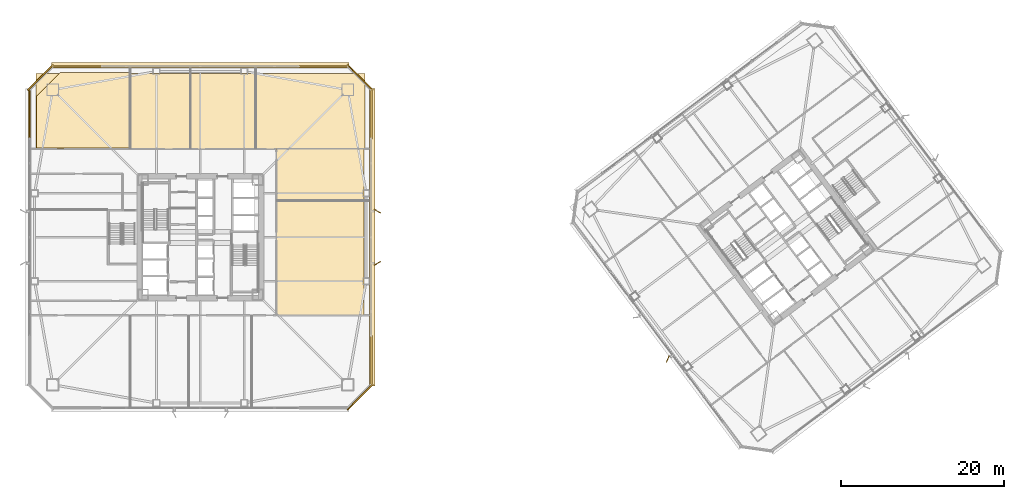
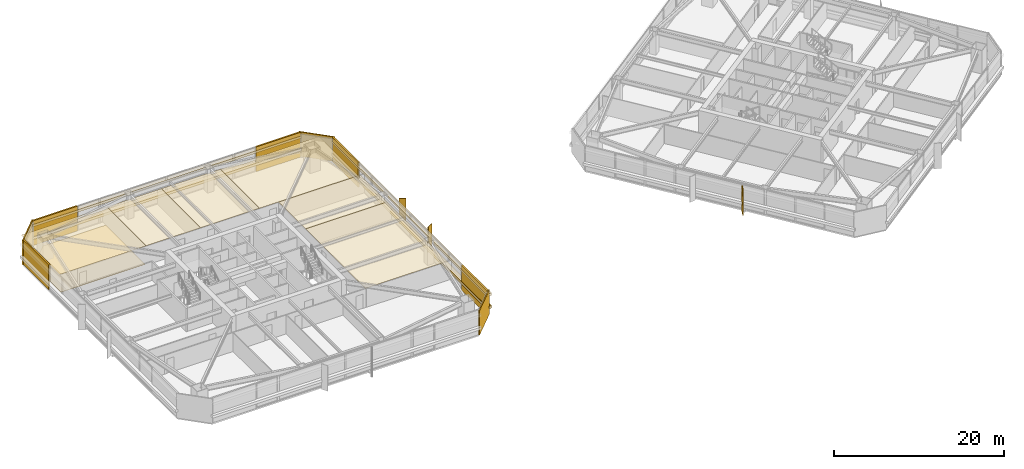
# One storey, part 44 of 49: 19 coverings, 3 shading devices.
"""IFC4 building model written with IfcOpenShell, lengths in metres."""

from ifc_helpers import new_model, si_unit, direction, frame, origin, origin_2d, place, context, subcontext, project, spatial, polyline, rectangle, outline, extrude, material, layer, layer_set, type_object, element, save


model = new_model("IFC4")

# Units and contexts
model_context = context("Model", 3, precision=1e-05, world=origin(), true_north=direction((0.0, 1.0)))
body_context = subcontext(model_context, "Body", "Model", "MODEL_VIEW")
ifc_project = project(units=[si_unit("LENGTHUNIT", "METRE"), si_unit("AREAUNIT", "SQUARE_METRE"), si_unit("VOLUMEUNIT", "CUBIC_METRE"), si_unit("PLANEANGLEUNIT", "RADIAN"), si_unit("MASSUNIT", "GRAM", prefix="KILO")], contexts=[model_context])

# Site, building, storey
site_placement = place(None, origin())
site = spatial("IfcSite", under=ifc_project, at=site_placement, CompositionType="ELEMENT")
building_placement = place(site_placement, origin())
building = spatial("IfcBuilding", under=site, at=building_placement, Name="Tashvorn Skyway Center", CompositionType="ELEMENT")
storey_placement = place(building_placement, frame((0.0, 0.0, 70.75)))
storey = spatial("IfcBuildingStorey", under=building, at=storey_placement, Name="L18", CompositionType="ELEMENT", Elevation=70.75)

# Coverings
ifc_material_1 = material(Name="Precast concrete C40/50", Category="concrete")
ifc_layer_1 = layer(ifc_material_1, 0.199951171875)
ifc_layer_set_1 = layer_set([ifc_layer_1], Name="Precast concrete C40/50")
covering_type_1 = type_object("IfcCoveringType", Name="COV-BRACE-CLAD", PredefinedType="CLADDING", material=ifc_layer_set_1)
for number, where, z_axis, x_axis, name in (
    (1, (21.02001953125, 47.14990234375, 0.0), (0.0, 0.0, 1.0), (0.0, 1.0, 0.0), "Tower 1 L18 West Unitised Curtain Wall Mega-Brace Cladding Band 2"),
    (2, (26.85009765625, 52.97998046875, 0.0), (0.0, 0.0, 1.0), (1.0, 0.0, 0.0), "Tower 1 L18 North Unitised Curtain Wall Mega-Brace Cladding Band 1"),
    (3, (57.14990234375, 52.97998046875, 0.0), (0.0, 0.0, 1.0), (1.0, 0.0, 0.0), "Tower 1 L18 North Unitised Curtain Wall Mega-Brace Cladding Band 2"),
    (4, (62.97998046875, 47.14990234375, 0.0), (0.0, 0.0, 1.0), (0.0, -1.0, 0.0), "Tower 1 L18 East Unitised Curtain Wall Mega-Brace Cladding Band 1"),
    (5, (62.97998046875, 16.85009765625, 0.0), (0.0, 0.0, 1.0), (0.0, -1.0, 0.0), "Tower 1 L18 East Unitised Curtain Wall Mega-Brace Cladding Band 2"),
):
    element("IfcCovering", number, at=place(storey_placement, frame(where, z_axis=z_axis, x_axis=x_axis)), inside=storey, type_object=covering_type_1, Name=name, PredefinedType="CLADDING", context=body_context, shape_type="SweptSolid", body=[
        extrude(rectangle(XDim=6.06005859375, YDim=0.199951171875, at=origin_2d()), origin(), (0.0, 0.0, 1.0), 3.550048828125),
    ])
ifc_material_2 = material(Name="Mineral-fibre acoustic ceiling tile on suspended grid")
ifc_layer_2 = layer(ifc_material_2, 0.02001953125)
ifc_layer_set_2 = layer_set([ifc_layer_2], Name="Mineral-fibre acoustic ceiling tile on suspended grid")
covering_type_2 = type_object("IfcCoveringType", Name="COV-CEIL-20", PredefinedType="CEILING", material=ifc_layer_set_2)
covering_1_placement = place(storey_placement, frame((0.0, 0.0, 2.68310546875)))
element("IfcCovering", 6, at=covering_1_placement, inside=storey, type_object=covering_type_2, Name="Tower 1 L18 Conference Room Acoustic Ceiling", PredefinedType="CEILING", context=body_context, shape_type="SweptSolid", body=[
    extrude(outline(polyline([(21.800048828125, 42.85009765625), (33.39990234375, 42.85009765625), (33.39990234375, 52.10009765625), (21.800048828125, 52.10009765625), (21.800048828125, 42.85009765625)])), origin(), (0.0, 0.0, 1.0), 0.019775390625),
])
covering_2_placement = place(storey_placement, frame((0.0, 0.0, 2.68310546875)))
element("IfcCovering", 7, at=covering_2_placement, inside=storey, type_object=covering_type_2, Name="Tower 1 L18 Conference Room Acoustic Ceiling", PredefinedType="CEILING", context=body_context, shape_type="SweptSolid", body=[
    extrude(outline(polyline([(33.39990234375, 42.85009765625), (40.800048828125, 42.85009765625), (40.800048828125, 52.10009765625), (33.39990234375, 52.10009765625), (33.39990234375, 42.85009765625)])), origin(), (0.0, 0.0, 1.0), 0.019775390625),
])
covering_3_placement = place(storey_placement, frame((0.0, 0.0, 2.68310546875)))
element("IfcCovering", 8, at=covering_3_placement, inside=storey, type_object=covering_type_2, Name="Tower 1 L18 Boardroom Acoustic Ceiling", PredefinedType="CEILING", context=body_context, shape_type="SweptSolid", body=[
    extrude(outline(polyline([(40.800048828125, 42.85009765625), (48.800048828125, 42.85009765625), (48.800048828125, 52.10009765625), (40.800048828125, 52.10009765625), (40.800048828125, 42.85009765625)])), origin(), (0.0, 0.0, 1.0), 0.019775390625),
])
covering_4_placement = place(storey_placement, frame((0.0, 0.0, 2.68310546875)))
element("IfcCovering", 9, at=covering_4_placement, inside=storey, type_object=covering_type_2, Name="Tower 1 L18 Gallery Showroom Acoustic Ceiling", PredefinedType="CEILING", context=body_context, shape_type="SweptSolid", body=[
    extrude(outline(polyline([(48.800048828125, 42.85009765625), (62.199951171875, 42.85009765625), (62.199951171875, 52.10009765625), (48.800048828125, 52.10009765625), (48.800048828125, 42.85009765625)])), origin(), (0.0, 0.0, 1.0), 0.019775390625),
])
covering_5_placement = place(storey_placement, frame((0.0, 0.0, 2.68310546875)))
element("IfcCovering", 10, at=covering_5_placement, inside=storey, type_object=covering_type_2, Name="Tower 1 L18 Gallery Showroom Acoustic Ceiling", PredefinedType="CEILING", context=body_context, shape_type="SweptSolid", body=[
    extrude(outline(polyline([(51.35009765625, 22.429931640625), (62.10009765625, 22.429931640625), (62.10009765625, 36.5), (51.35009765625, 36.5), (51.35009765625, 22.429931640625)])), origin(), (0.0, 0.0, 1.0), 0.019775390625),
])
covering_6_placement = place(storey_placement, frame((0.0, 0.0, 2.68310546875)))
element("IfcCovering", 11, at=covering_6_placement, inside=storey, type_object=covering_type_2, Name="Tower 1 L18 Public Restroom Acoustic Ceiling", PredefinedType="CEILING", context=body_context, shape_type="SweptSolid", body=[
    extrude(outline(polyline([(51.35009765625, 36.5), (62.10009765625, 36.5), (62.10009765625, 42.85009765625), (51.35009765625, 42.85009765625), (51.35009765625, 36.5)])), origin(), (0.0, 0.0, 1.0), 0.019775390625),
])
ifc_material_3 = material(Name="Polished Mojave desert-aggregate terrazzo and cover plate")
ifc_layer_3 = layer(ifc_material_3, 0.0400390625)
ifc_layer_set_3 = layer_set([ifc_layer_3], Name="Polished Mojave desert-aggregate terrazzo and cover plate")
covering_type_3 = type_object("IfcCoveringType", Name="COV-FLR-40", PredefinedType="FLOORING", material=ifc_layer_set_3)
covering_7_placement = place(storey_placement, origin())
element("IfcCovering", 12, at=covering_7_placement, inside=storey, type_object=covering_type_3, Name="Tower 1 L18 Conference Room Finish Flooring", PredefinedType="FLOORING", context=body_context, shape_type="SweptSolid", body=[
    extrude(outline(polyline([(33.320068359375, 42.929931640625), (21.8798828125, 42.929931640625), (21.8798828125, 49.280029296875), (24.800048828125, 52.199951171875), (33.320068359375, 52.199951171875), (33.320068359375, 42.929931640625)])), origin(), (0.0, 0.0, 1.0), 0.0400390625),
])
ifc_material_4 = material(Name="Perforated ceramic-coated bronze aluminium solar screen", Category="aluminium")
ifc_layer_4 = layer(ifc_material_4, 0.85009765625)
ifc_layer_set_4 = layer_set([ifc_layer_4], Name="Perforated ceramic-coated bronze aluminium solar screen")
covering_type_4 = type_object("IfcCoveringType", Name="COV-SOLAR-BAND", PredefinedType="CLADDING", material=ifc_layer_set_4)
for number, where, z_axis, x_axis, name in (
    (13, (42.0, 53.1201171875, 0.919921875), (0.0, 0.0, 1.0), (1.0, 0.0, 0.0), "L18 Perforated Ceramic-Metal Solar Screen Louvre Band North 1"),
    (14, (42.0, 53.1201171875, 2.7197265625), (0.0, 0.0, 1.0), (1.0, 0.0, 0.0), "L18 Perforated Ceramic-Metal Solar Screen Louvre Band North 2"),
    (15, (63.1201171875, 32.0, 0.919921875), (0.0, 0.0, 1.0), (0.0, -1.0, 0.0), "L18 Perforated Ceramic-Metal Solar Screen Louvre Band East 1"),
    (16, (63.1201171875, 32.0, 2.7197265625), (0.0, 0.0, 1.0), (0.0, -1.0, 0.0), "L18 Perforated Ceramic-Metal Solar Screen Louvre Band East 2"),
):
    element("IfcCovering", number, at=place(storey_placement, frame(where, z_axis=z_axis, x_axis=x_axis)), inside=storey, type_object=covering_type_4, Name=name, PredefinedType="CLADDING", context=body_context, shape_type="SweptSolid", body=[
        extrude(rectangle(XDim=36.47998046875, YDim=0.639892578125, at=origin_2d()), origin(), (0.0, 0.0, 1.0), 0.360107421875),
    ])
ifc_layer_5 = layer(ifc_material_1, 0.35009765625)
ifc_layer_set_5 = layer_set([ifc_layer_5], Name="Precast concrete C40/50")
covering_type_5 = type_object("IfcCoveringType", Name="COV-STONE-TRIM", PredefinedType="CLADDING", material=ifc_layer_set_5)
for number, where, z_axis, x_axis, name in (
    (17, (22.3798828125, 51.6201171875, 0.02001953125), (0.0, 0.0, 1.0), (-0.707106781187, -0.707106781187, 0.0), "Tower 1 L18 NW Mojave Limestone Corner Quoin"),
    (18, (61.6201171875, 51.6201171875, 0.02001953125), (0.0, 0.0, 1.0), (0.707106781187, -0.707106781187, 0.0), "Tower 1 L18 NE Mojave Limestone Corner Quoin"),
    (19, (61.6201171875, 12.3798828125, 0.02001953125), (0.0, 0.0, 1.0), (0.707106781187, 0.707106781187, 0.0), "Tower 1 L18 SE Mojave Limestone Corner Quoin"),
):
    element("IfcCovering", number, at=place(storey_placement, frame(where, z_axis=z_axis, x_axis=x_axis)), inside=storey, type_object=covering_type_5, Name=name, PredefinedType="CLADDING", context=body_context, shape_type="SweptSolid", body=[
        extrude(rectangle(XDim=4.402587890625, YDim=0.139892578125, at=origin_2d()), origin(), (0.0, 0.0, 1.0), 3.510009765625),
    ])

# Shading devices
ifc_layer_6 = layer(ifc_material_4, 0.06005859375)
ifc_layer_set_6 = layer_set([ifc_layer_6], Name="Perforated ceramic-coated bronze aluminium solar screen")
shading_device_type = type_object("IfcShadingDeviceType", Name="SHD-SOLAR-850", PredefinedType="USERDEFINED", material=ifc_layer_set_6)
for number, where, z_axis, x_axis, name in (
    (20, (63.75, 28.800048828125, -0.099853515625), (0.0, 0.0, 1.0), (0.5, -0.866025403784, 0.0), "Tower 1 L18 Perforated Ceramic-Metal Solar Screen E1"),
    (21, (63.75, 35.199951171875, -0.099853515625), (0.0, 0.0, 1.0), (-0.5, -0.866025403784, 0.0), "Tower 1 L18 Perforated Ceramic-Metal Solar Screen E2"),
    (22, (99.39990234375, 17.050048828125, -0.099853515625), (0.0, 0.0, 1.0), (-0.919615244699, 0.392820317343, 0.0), "Tower 2 L18 Perforated Ceramic-Metal Solar Screen W1"),
):
    element("IfcShadingDevice", number, at=place(storey_placement, frame(where, z_axis=z_axis, x_axis=x_axis)), inside=storey, type_object=shading_device_type, Name=name, ObjectType="SCREEN", PredefinedType="USERDEFINED", context=body_context, shape_type="SweptSolid", body=[
        extrude(rectangle(XDim=0.080078125, YDim=0.85009765625, at=origin_2d()), origin(), (0.0, 0.0, 1.0), 3.64990234375),
    ])

save(model, "model.ifc")
